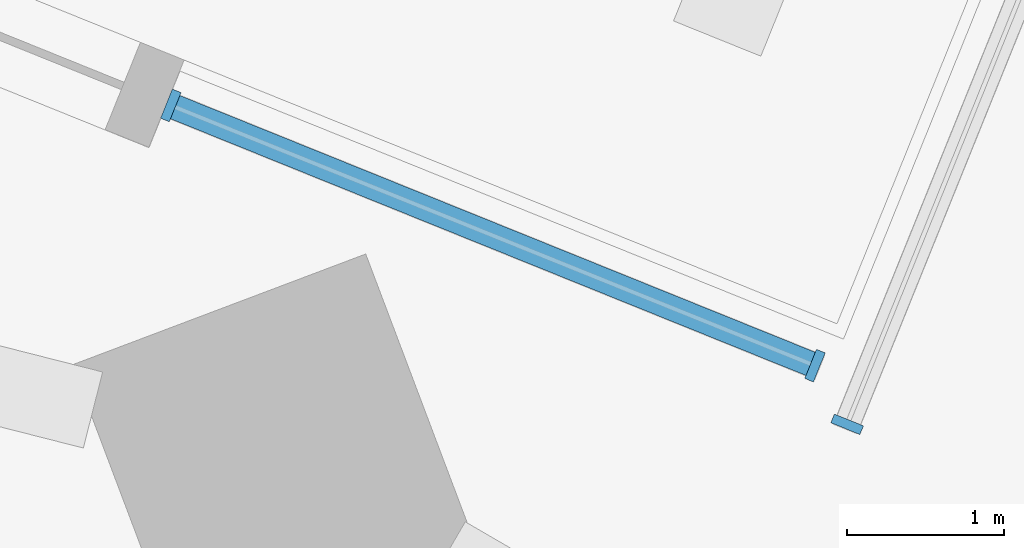
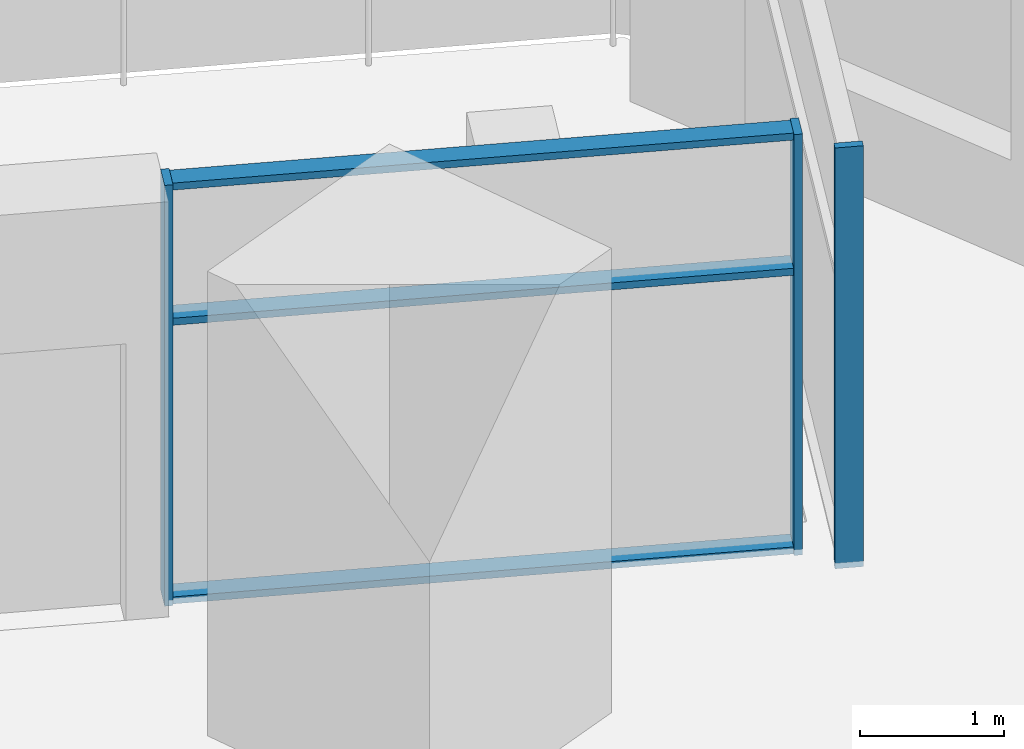
# One storey, part 2 of 12: 6 members, 2 elements without a shape of their own.
"""IFC4 building model written with IfcOpenShell, lengths in metres."""

from ifc_helpers import new_model, si_unit, direction, frame, origin, origin_2d, place, context, subcontext, project, spatial, rectangle, extrude, material, material_profile, profile_set, type_object, element, aggregate, save


model = new_model("IFC4")

# Units and contexts
model_context = context("Model", 3, precision=1e-05, world=origin(), true_north=direction((0.0, 1.0)))
body_context = subcontext(model_context, "Body", "Model", "MODEL_VIEW")
ifc_project = project(units=[si_unit("LENGTHUNIT", "METRE"), si_unit("AREAUNIT", "SQUARE_METRE"), si_unit("VOLUMEUNIT", "CUBIC_METRE"), si_unit("PLANEANGLEUNIT", "RADIAN"), si_unit("MASSUNIT", "GRAM", prefix="KILO")], contexts=[model_context])

# Site, building, storey
site_placement = place(None, origin())
site = spatial("IfcSite", under=ifc_project, at=site_placement, CompositionType="ELEMENT")
building_placement = place(site_placement, origin())
building = spatial("IfcBuilding", under=site, at=building_placement, Name="Dilmun Exchange Tower", CompositionType="ELEMENT")
storey_placement = place(building_placement, frame((0.0, 0.0, 118.10009765625)))
storey = spatial("IfcBuildingStorey", under=building, at=storey_placement, Name="L27", CompositionType="ELEMENT", Elevation=118.10009765625)

# Curtain wall, member
ifc_material_1 = material(Name="Anodised aluminium and clear glass", Category="aluminium")
curtain_wall_type = type_object("IfcCurtainWallType", Name="Garden corner glazing", PredefinedType="NOTDEFINED", material=ifc_material_1)
curtain_wall_1_placement = place(storey_placement, origin())
curtain_wall_1 = element("IfcCurtainWall", 1, at=curtain_wall_1_placement, inside=storey, type_object=curtain_wall_type, Name="Garden corner glazing run GC1.1", PredefinedType="NOTDEFINED")
ifc_material_2 = material(Name="Anodised aluminium", Category="aluminium")
ifc_material_profile_1 = material_profile(ifc_material_2, rectangle(XDim=0.199951171875, YDim=0.06005859375, at=origin_2d()), Name="AL 60x200")
ifc_profile_set_1 = profile_set([ifc_material_profile_1], Name="Anodised aluminium")
member_type_1 = type_object("IfcMemberType", Name="Garden corner glazing mullion 60 x 200", PredefinedType="MULLION", material=ifc_profile_set_1)
member_1_placement = place(storey_placement, frame((16.773193359375, 26.55712890625, 0.0), z_axis=(0.0, 0.0, 1.0), x_axis=(0.927181535276, -0.374612333812, 0.0)))
member_1 = element("IfcMember", 2, at=member_1_placement, type_object=member_type_1, Name="GC1.1 mullion 2", PredefinedType="MULLION", context=body_context, shape_type="SweptSolid", body=[
    extrude(rectangle(XDim=0.199951171875, YDim=0.06005859375, at=origin_2d()), origin(), (0.0, 0.0, 1.0), 3.579833984375),
])
aggregate(curtain_wall_1, [member_1])

# Curtain wall, members
curtain_wall_2_placement = place(storey_placement, origin())
curtain_wall_2 = element("IfcCurtainWall", 3, at=curtain_wall_2_placement, inside=storey, type_object=curtain_wall_type, Name="Garden corner glazing run GC2.1", PredefinedType="NOTDEFINED")
member_2_placement = place(storey_placement, frame((16.568359375, 26.93115234375, 0.0), z_axis=(0.0, 0.0, 1.0), x_axis=(-0.374618474689, -0.927179054132, 0.0)))
member_2 = element("IfcMember", 4, at=member_2_placement, type_object=member_type_1, Name="GC2.1 mullion 1", PredefinedType="MULLION", context=body_context, shape_type="SweptSolid", body=[
    extrude(rectangle(XDim=0.199951171875, YDim=0.06005859375, at=origin_2d()), origin(), (0.0, 0.0, 1.0), 3.579833984375),
])
member_3_placement = place(storey_placement, frame((12.461669921875, 28.59033203125, 0.0), z_axis=(0.0, 0.0, 1.0), x_axis=(-0.374618474689, -0.927179054132, 0.0)))
member_3 = element("IfcMember", 5, at=member_3_placement, type_object=member_type_1, Name="GC2.1 mullion 2", PredefinedType="MULLION", context=body_context, shape_type="SweptSolid", body=[
    extrude(rectangle(XDim=0.199951171875, YDim=0.06005859375, at=origin_2d()), origin(), (0.0, 0.0, 1.0), 3.579833984375),
])
ifc_material_profile_2 = material_profile(ifc_material_2, rectangle(XDim=0.159912109375, YDim=0.06005859375, at=origin_2d()), Name="AL 60x160")
ifc_profile_set_2 = profile_set([ifc_material_profile_2], Name="Anodised aluminium")
member_type_2 = type_object("IfcMemberType", Name="Garden corner glazing transom 60 x 160", PredefinedType="USERDEFINED", material=ifc_profile_set_2)
member_4_placement = place(storey_placement, frame((16.54052734375, 26.9423828125, 0.02978515625), z_axis=(-0.927183993631, 0.37460624922, 0.0), x_axis=(-0.37460624922, -0.927183993631, 0.0)))
member_4 = element("IfcMember", 6, at=member_4_placement, type_object=member_type_2, Name="GC2.1 transom 1.1", ObjectType="TRANSOM", PredefinedType="USERDEFINED", context=body_context, shape_type="SweptSolid", body=[
    extrude(rectangle(XDim=0.159912109375, YDim=0.06005859375, at=origin_2d()), origin(), (0.0, 0.0, 1.0), 4.369140625),
])
member_5_placement = place(storey_placement, frame((16.54052734375, 26.9423828125, 2.39990234375), z_axis=(-0.927183993631, 0.37460624922, 0.0), x_axis=(-0.37460624922, -0.927183993631, 0.0)))
member_5 = element("IfcMember", 7, at=member_5_placement, type_object=member_type_2, Name="GC2.1 transom 1.2", ObjectType="TRANSOM", PredefinedType="USERDEFINED", context=body_context, shape_type="SweptSolid", body=[
    extrude(rectangle(XDim=0.159912109375, YDim=0.06005859375, at=origin_2d()), origin(), (0.0, 0.0, 1.0), 4.369140625),
])
member_6_placement = place(storey_placement, frame((16.54052734375, 26.9423828125, 3.5498046875), z_axis=(-0.927183993631, 0.37460624922, 0.0), x_axis=(-0.37460624922, -0.927183993631, 0.0)))
member_6 = element("IfcMember", 8, at=member_6_placement, type_object=member_type_2, Name="GC2.1 transom 1.3", ObjectType="TRANSOM", PredefinedType="USERDEFINED", context=body_context, shape_type="SweptSolid", body=[
    extrude(rectangle(XDim=0.159912109375, YDim=0.06005859375, at=origin_2d()), origin(), (0.0, 0.0, 1.0), 4.369140625),
])
aggregate(curtain_wall_2, [member_2, member_3, member_4, member_5, member_6])

save(model, "model.ifc")
